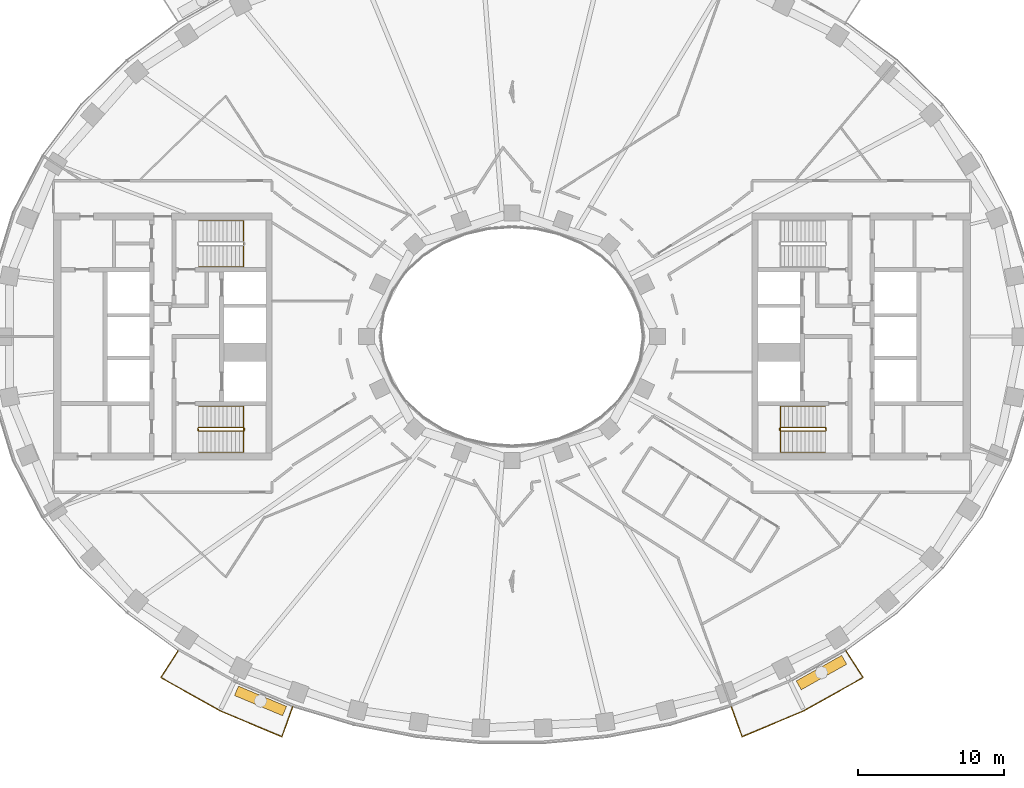
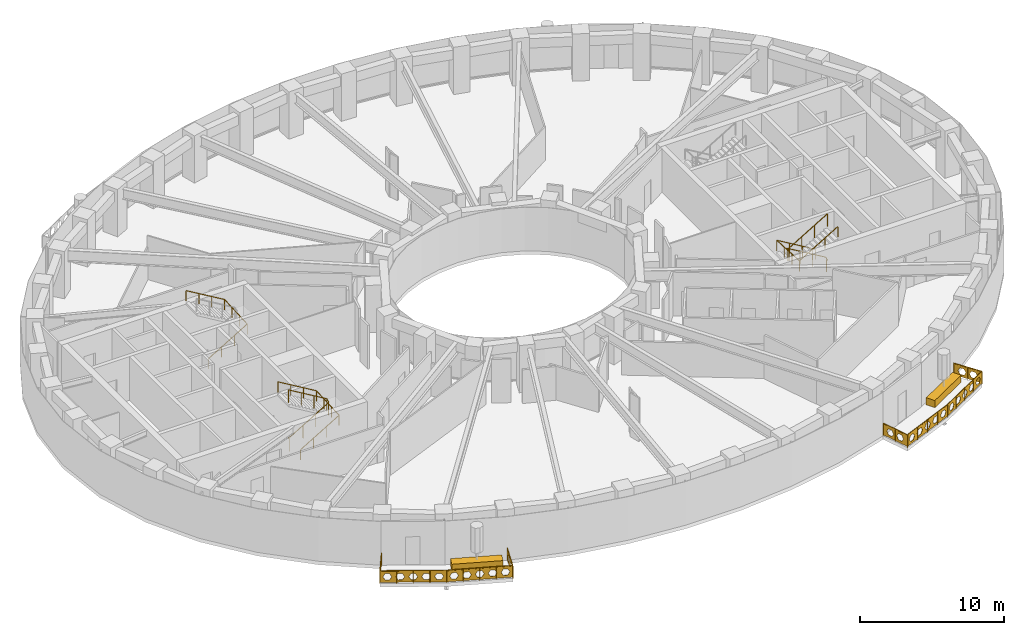
# One storey, part 13 of 15: 7 railings, 2 coverings.
"""IFC4 building model written with IfcOpenShell, lengths in metres."""

from ifc_helpers import new_model, si_unit, direction, frame, origin, origin_2d, place, context, subcontext, project, spatial, polyline, rectangle, outline, extrude, material, type_object, element, save


model = new_model("IFC4")

# Units and contexts
model_context = context("Model", 3, precision=1e-05, world=origin(), true_north=direction((0.0, 1.0)))
body_context = subcontext(model_context, "Body", "Model", "MODEL_VIEW")
ifc_project = project(units=[si_unit("LENGTHUNIT", "METRE"), si_unit("AREAUNIT", "SQUARE_METRE"), si_unit("VOLUMEUNIT", "CUBIC_METRE"), si_unit("PLANEANGLEUNIT", "RADIAN"), si_unit("MASSUNIT", "GRAM", prefix="KILO")], contexts=[model_context])

# Site, building, storey
site_placement = place(None, origin())
site = spatial("IfcSite", under=ifc_project, at=site_placement, CompositionType="ELEMENT")
building_placement = place(site_placement, origin())
building = spatial("IfcBuilding", under=site, at=building_placement, Name="Noorbagh Ring Tower", CompositionType="ELEMENT")
storey_placement = place(building_placement, frame((0.0, 0.0, 158.0)))
storey = spatial("IfcBuildingStorey", under=building, at=storey_placement, Name="L36", CompositionType="ELEMENT", Elevation=158.0)

# Railings
ifc_material_1 = material(Name="Stainless steel", Category="steel")
railing_type_1 = type_object("IfcRailingType", Name="CORE-STAIR-GUARD", PredefinedType="GUARDRAIL", material=ifc_material_1)
railing_1_placement = place(storey_placement, frame((-21.580078125, -6.449951171875, 0.0)))
element("IfcRailing", 1, at=railing_1_placement, inside=storey, type_object=railing_type_1, Name="L36 ST2 stair guard", PredefinedType="GUARDRAIL", context=body_context, shape_type="SweptSolid", body=[
    extrude(rectangle(XDim=0.048095703125, YDim=0.048095703125, at=origin_2d()), frame((0.0, 0.0, 1.076171875), z_axis=(0.0, 1.0, 0.0), x_axis=(-1.0, 0.0, 0.0)), (0.0, 0.0, 1.0), 0.14990234375),
    extrude(rectangle(XDim=0.048095703125, YDim=0.048095703125, at=origin_2d()), frame((0.0, 0.14990234375, 1.076171875), z_axis=(0.188775798145, -0.754182335027, 0.628945707965), x_axis=(0.970072785993, 0.242814311512, 0.0)), (0.0, 0.0, 1.0), 0.26513671875),
    extrude(rectangle(XDim=0.048095703125, YDim=0.048095703125, at=origin_2d()), frame((0.050048828125, -0.050048828125, 1.24267578125), z_axis=(0.859308565015, 0.0, 0.511457515432), x_axis=(0.0, 1.0, 0.0)), (0.0, 0.0, 1.0), 3.58447265625),
    extrude(rectangle(XDim=0.048095703125, YDim=0.048095703125, at=origin_2d()), frame((3.130126953125, -0.050048828125, 3.076171875), z_axis=(0.707106781187, 0.707106781187, 0.0), x_axis=(-0.707106781187, 0.707106781187, 0.0)), (0.0, 0.0, 1.0), 0.07080078125),
    extrude(rectangle(XDim=0.048095703125, YDim=0.048095703125, at=origin_2d()), frame((3.18017578125, 0.0, 3.076171875), z_axis=(0.0, 1.0, 0.0), x_axis=(-1.0, 0.0, 0.0)), (0.0, 0.0, 1.0), 0.14990234375),
    extrude(rectangle(XDim=0.048095703125, YDim=0.048095703125, at=origin_2d()), frame((3.18017578125, 0.14990234375, 3.076171875), z_axis=(-0.27628659633, 0.27628659633, 0.920506074601), x_axis=(-0.707106781187, -0.707106781187, 0.0)), (0.0, 0.0, 1.0), 0.18115234375),
    extrude(rectangle(XDim=0.048095703125, YDim=0.048095703125, at=origin_2d()), frame((3.130126953125, 0.199951171875, 3.24267578125), z_axis=(-0.859308565015, 0.0, 0.511457515432), x_axis=(0.0, -1.0, 0.0)), (0.0, 0.0, 1.0), 3.58447265625),
    extrude(rectangle(XDim=0.0419921875, YDim=0.0419921875, at=origin_2d()), origin(), (0.0, 0.0, 1.0), 1.052001953125),
    extrude(rectangle(XDim=0.0419921875, YDim=0.0419921875, at=origin_2d()), frame((1.07666015625, -0.050048828125, 0.77783203125)), (0.0, 0.0, 1.0), 1.052001953125),
    extrude(rectangle(XDim=0.0419921875, YDim=0.0419921875, at=origin_2d()), frame((2.103515625, -0.050048828125, 1.388916015625)), (0.0, 0.0, 1.0), 1.052001953125),
    extrude(rectangle(XDim=0.0419921875, YDim=0.0419921875, at=origin_2d()), frame((3.130126953125, -0.050048828125, 2.0)), (0.0, 0.0, 1.0), 1.052001953125),
    extrude(rectangle(XDim=0.0419921875, YDim=0.0419921875, at=origin_2d()), frame((3.130126953125, 0.199951171875, 2.166748046875)), (0.0, 0.0, 1.0), 1.052001953125),
    extrude(rectangle(XDim=0.0419921875, YDim=0.0419921875, at=origin_2d()), frame((2.103515625, 0.199951171875, 2.77783203125)), (0.0, 0.0, 1.0), 1.052001953125),
    extrude(rectangle(XDim=0.0419921875, YDim=0.0419921875, at=origin_2d()), frame((1.07666015625, 0.199951171875, 3.388916015625)), (0.0, 0.0, 1.0), 1.052001953125),
    extrude(rectangle(XDim=0.0419921875, YDim=0.0419921875, at=origin_2d()), frame((0.050048828125, 0.199951171875, 4.0)), (0.0, 0.0, 1.0), 1.052001953125),
])
railing_2_placement = place(storey_placement, frame((21.580078125, -6.300048828125, 0.0)))
element("IfcRailing", 2, at=railing_2_placement, inside=storey, type_object=railing_type_1, Name="L36 ST4 stair guard", PredefinedType="GUARDRAIL", context=body_context, shape_type="SweptSolid", body=[
    extrude(rectangle(XDim=0.048095703125, YDim=0.048095703125, at=origin_2d()), frame((0.0, 0.0, 1.076171875), z_axis=(0.0, -1.0, 0.0), x_axis=(1.0, 0.0, 0.0)), (0.0, 0.0, 1.0), 0.14990234375),
    extrude(rectangle(XDim=0.048095703125, YDim=0.048095703125, at=origin_2d()), frame((0.0, -0.14990234375, 1.076171875), z_axis=(-0.188775798145, 0.754182335027, 0.628945707965), x_axis=(-0.970072785993, -0.242814311512, 0.0)), (0.0, 0.0, 1.0), 0.26513671875),
    extrude(rectangle(XDim=0.048095703125, YDim=0.048095703125, at=origin_2d()), frame((-0.050048828125, 0.050048828125, 1.24267578125), z_axis=(-0.859308565015, 0.0, 0.511457515432), x_axis=(0.0, -1.0, 0.0)), (0.0, 0.0, 1.0), 3.58447265625),
    extrude(rectangle(XDim=0.048095703125, YDim=0.048095703125, at=origin_2d()), frame((-3.130126953125, 0.050048828125, 3.076171875), z_axis=(-0.707106781187, -0.707106781187, 0.0), x_axis=(0.707106781187, -0.707106781187, 0.0)), (0.0, 0.0, 1.0), 0.07080078125),
    extrude(rectangle(XDim=0.048095703125, YDim=0.048095703125, at=origin_2d()), frame((-3.18017578125, 0.0, 3.076171875), z_axis=(0.0, -1.0, 0.0), x_axis=(1.0, 0.0, 0.0)), (0.0, 0.0, 1.0), 0.14990234375),
    extrude(rectangle(XDim=0.048095703125, YDim=0.048095703125, at=origin_2d()), frame((-3.18017578125, -0.14990234375, 3.076171875), z_axis=(0.27628659633, -0.27628659633, 0.920506074601), x_axis=(0.707106781187, 0.707106781187, 0.0)), (0.0, 0.0, 1.0), 0.18115234375),
    extrude(rectangle(XDim=0.048095703125, YDim=0.048095703125, at=origin_2d()), frame((-3.130126953125, -0.199951171875, 3.24267578125), z_axis=(0.859308565015, 0.0, 0.511457515432), x_axis=(0.0, 1.0, 0.0)), (0.0, 0.0, 1.0), 3.58447265625),
    extrude(rectangle(XDim=0.0419921875, YDim=0.0419921875, at=origin_2d()), origin(), (0.0, 0.0, 1.0), 1.052001953125),
    extrude(rectangle(XDim=0.0419921875, YDim=0.0419921875, at=origin_2d()), frame((-1.07666015625, 0.050048828125, 0.77783203125)), (0.0, 0.0, 1.0), 1.052001953125),
    extrude(rectangle(XDim=0.0419921875, YDim=0.0419921875, at=origin_2d()), frame((-2.103515625, 0.050048828125, 1.388916015625)), (0.0, 0.0, 1.0), 1.052001953125),
    extrude(rectangle(XDim=0.0419921875, YDim=0.0419921875, at=origin_2d()), frame((-3.130126953125, 0.050048828125, 2.0)), (0.0, 0.0, 1.0), 1.052001953125),
    extrude(rectangle(XDim=0.0419921875, YDim=0.0419921875, at=origin_2d()), frame((-3.130126953125, -0.199951171875, 2.166748046875)), (0.0, 0.0, 1.0), 1.052001953125),
    extrude(rectangle(XDim=0.0419921875, YDim=0.0419921875, at=origin_2d()), frame((-2.103515625, -0.199951171875, 2.77783203125)), (0.0, 0.0, 1.0), 1.052001953125),
    extrude(rectangle(XDim=0.0419921875, YDim=0.0419921875, at=origin_2d()), frame((-1.07666015625, -0.199951171875, 3.388916015625)), (0.0, 0.0, 1.0), 1.052001953125),
    extrude(rectangle(XDim=0.0419921875, YDim=0.0419921875, at=origin_2d()), frame((-0.050048828125, -0.199951171875, 4.0)), (0.0, 0.0, 1.0), 1.052001953125),
])
ifc_material_2 = material(Name="Stainless steel", Category="steel")
railing_type_2 = type_object("IfcRailingType", Name="CORE-STAIR-HANDRAIL", PredefinedType="HANDRAIL", material=ifc_material_2)
railing_3_placement = place(storey_placement, frame((-21.530029296875, 4.800048828125, 0.166748046875)))
element("IfcRailing", 3, at=railing_3_placement, inside=storey, type_object=railing_type_2, Name="L36 ST1 stair handrail", PredefinedType="HANDRAIL", context=body_context, shape_type="SweptSolid", body=[
    extrude(rectangle(XDim=0.048095703125, YDim=0.048095703125, at=origin_2d()), frame((0.0, 0.0, 0.8759765625), z_axis=(0.859308565015, 0.0, 0.511457515432), x_axis=(0.0, 1.0, 0.0)), (0.0, 0.0, 1.0), 3.58447265625),
    extrude(rectangle(XDim=0.048095703125, YDim=0.048095703125, at=origin_2d()), frame((3.080078125, 0.0, 2.708984375), z_axis=(0.0, 0.998601747152, 0.052863509014), x_axis=(-1.0, 0.0, 0.0)), (0.0, 0.0, 1.0), 3.154296875),
    extrude(rectangle(XDim=0.048095703125, YDim=0.048095703125, at=origin_2d()), frame((3.080078125, 3.14990234375, 2.8759765625), z_axis=(-0.859308565015, 0.0, 0.511457515432), x_axis=(0.0, -1.0, 0.0)), (0.0, 0.0, 1.0), 3.58447265625),
    extrude(rectangle(XDim=0.0419921875, YDim=0.0419921875, at=origin_2d()), origin(), (0.0, 0.0, 1.0), 0.851806640625),
    extrude(rectangle(XDim=0.0419921875, YDim=0.0419921875, at=origin_2d()), frame((1.026611328125, 0.0, 0.611083984375)), (0.0, 0.0, 1.0), 0.851806640625),
    extrude(rectangle(XDim=0.0419921875, YDim=0.0419921875, at=origin_2d()), frame((2.053466796875, 0.0, 1.22216796875)), (0.0, 0.0, 1.0), 0.851806640625),
    extrude(rectangle(XDim=0.0419921875, YDim=0.0419921875, at=origin_2d()), frame((3.080078125, 0.0, 1.833251953125)), (0.0, 0.0, 1.0), 0.851806640625),
    extrude(rectangle(XDim=0.0419921875, YDim=0.0419921875, at=origin_2d()), frame((3.080078125, 1.050048828125, 1.888916015625)), (0.0, 0.0, 1.0), 0.851806640625),
    extrude(rectangle(XDim=0.0419921875, YDim=0.0419921875, at=origin_2d()), frame((3.080078125, 2.099853515625, 1.9443359375)), (0.0, 0.0, 1.0), 0.851806640625),
    extrude(rectangle(XDim=0.0419921875, YDim=0.0419921875, at=origin_2d()), frame((3.080078125, 3.14990234375, 2.0)), (0.0, 0.0, 1.0), 0.851806640625),
    extrude(rectangle(XDim=0.0419921875, YDim=0.0419921875, at=origin_2d()), frame((2.053466796875, 3.14990234375, 2.611083984375)), (0.0, 0.0, 1.0), 0.851806640625),
    extrude(rectangle(XDim=0.0419921875, YDim=0.0419921875, at=origin_2d()), frame((1.026611328125, 3.14990234375, 3.22216796875)), (0.0, 0.0, 1.0), 0.851806640625),
    extrude(rectangle(XDim=0.0419921875, YDim=0.0419921875, at=origin_2d()), frame((0.0, 3.14990234375, 3.833251953125)), (0.0, 0.0, 1.0), 0.851806640625),
])
railing_4_placement = place(storey_placement, frame((-21.530029296875, -7.949951171875, 0.166748046875)))
element("IfcRailing", 4, at=railing_4_placement, inside=storey, type_object=railing_type_2, Name="L36 ST2 stair handrail", PredefinedType="HANDRAIL", context=body_context, shape_type="SweptSolid", body=[
    extrude(rectangle(XDim=0.048095703125, YDim=0.048095703125, at=origin_2d()), frame((0.0, 0.0, 0.8759765625), z_axis=(0.859308565015, 0.0, 0.511457515432), x_axis=(0.0, 1.0, 0.0)), (0.0, 0.0, 1.0), 3.58447265625),
    extrude(rectangle(XDim=0.048095703125, YDim=0.048095703125, at=origin_2d()), frame((3.080078125, 0.0, 2.708984375), z_axis=(0.0, 0.998601747152, 0.052863509014), x_axis=(-1.0, 0.0, 0.0)), (0.0, 0.0, 1.0), 3.154296875),
    extrude(rectangle(XDim=0.048095703125, YDim=0.048095703125, at=origin_2d()), frame((3.080078125, 3.14990234375, 2.8759765625), z_axis=(-0.859308565015, 0.0, 0.511457515432), x_axis=(0.0, -1.0, 0.0)), (0.0, 0.0, 1.0), 3.58447265625),
    extrude(rectangle(XDim=0.0419921875, YDim=0.0419921875, at=origin_2d()), origin(), (0.0, 0.0, 1.0), 0.851806640625),
    extrude(rectangle(XDim=0.0419921875, YDim=0.0419921875, at=origin_2d()), frame((1.026611328125, 0.0, 0.611083984375)), (0.0, 0.0, 1.0), 0.851806640625),
    extrude(rectangle(XDim=0.0419921875, YDim=0.0419921875, at=origin_2d()), frame((2.053466796875, 0.0, 1.22216796875)), (0.0, 0.0, 1.0), 0.851806640625),
    extrude(rectangle(XDim=0.0419921875, YDim=0.0419921875, at=origin_2d()), frame((3.080078125, 0.0, 1.833251953125)), (0.0, 0.0, 1.0), 0.851806640625),
    extrude(rectangle(XDim=0.0419921875, YDim=0.0419921875, at=origin_2d()), frame((3.080078125, 1.050048828125, 1.888916015625)), (0.0, 0.0, 1.0), 0.851806640625),
    extrude(rectangle(XDim=0.0419921875, YDim=0.0419921875, at=origin_2d()), frame((3.080078125, 2.099853515625, 1.9443359375)), (0.0, 0.0, 1.0), 0.851806640625),
    extrude(rectangle(XDim=0.0419921875, YDim=0.0419921875, at=origin_2d()), frame((3.080078125, 3.14990234375, 2.0)), (0.0, 0.0, 1.0), 0.851806640625),
    extrude(rectangle(XDim=0.0419921875, YDim=0.0419921875, at=origin_2d()), frame((2.053466796875, 3.14990234375, 2.611083984375)), (0.0, 0.0, 1.0), 0.851806640625),
    extrude(rectangle(XDim=0.0419921875, YDim=0.0419921875, at=origin_2d()), frame((1.026611328125, 3.14990234375, 3.22216796875)), (0.0, 0.0, 1.0), 0.851806640625),
    extrude(rectangle(XDim=0.0419921875, YDim=0.0419921875, at=origin_2d()), frame((0.0, 3.14990234375, 3.833251953125)), (0.0, 0.0, 1.0), 0.851806640625),
])
railing_5_placement = place(storey_placement, frame((21.530029296875, -4.800048828125, 0.166748046875)))
element("IfcRailing", 5, at=railing_5_placement, inside=storey, type_object=railing_type_2, Name="L36 ST4 stair handrail", PredefinedType="HANDRAIL", context=body_context, shape_type="SweptSolid", body=[
    extrude(rectangle(XDim=0.048095703125, YDim=0.048095703125, at=origin_2d()), frame((0.0, 0.0, 0.8759765625), z_axis=(-0.859308565015, 0.0, 0.511457515432), x_axis=(0.0, -1.0, 0.0)), (0.0, 0.0, 1.0), 3.58447265625),
    extrude(rectangle(XDim=0.048095703125, YDim=0.048095703125, at=origin_2d()), frame((-3.080078125, 0.0, 2.708984375), z_axis=(0.0, -0.998601747152, 0.052863509014), x_axis=(1.0, 0.0, 0.0)), (0.0, 0.0, 1.0), 3.154296875),
    extrude(rectangle(XDim=0.048095703125, YDim=0.048095703125, at=origin_2d()), frame((-3.080078125, -3.14990234375, 2.8759765625), z_axis=(0.859308565015, 0.0, 0.511457515432), x_axis=(0.0, 1.0, 0.0)), (0.0, 0.0, 1.0), 3.58447265625),
    extrude(rectangle(XDim=0.0419921875, YDim=0.0419921875, at=origin_2d()), origin(), (0.0, 0.0, 1.0), 0.851806640625),
    extrude(rectangle(XDim=0.0419921875, YDim=0.0419921875, at=origin_2d()), frame((-1.026611328125, 0.0, 0.611083984375)), (0.0, 0.0, 1.0), 0.851806640625),
    extrude(rectangle(XDim=0.0419921875, YDim=0.0419921875, at=origin_2d()), frame((-2.053466796875, 0.0, 1.22216796875)), (0.0, 0.0, 1.0), 0.851806640625),
    extrude(rectangle(XDim=0.0419921875, YDim=0.0419921875, at=origin_2d()), frame((-3.080078125, 0.0, 1.833251953125)), (0.0, 0.0, 1.0), 0.851806640625),
    extrude(rectangle(XDim=0.0419921875, YDim=0.0419921875, at=origin_2d()), frame((-3.080078125, -1.050048828125, 1.888916015625)), (0.0, 0.0, 1.0), 0.851806640625),
    extrude(rectangle(XDim=0.0419921875, YDim=0.0419921875, at=origin_2d()), frame((-3.080078125, -2.099853515625, 1.9443359375)), (0.0, 0.0, 1.0), 0.851806640625),
    extrude(rectangle(XDim=0.0419921875, YDim=0.0419921875, at=origin_2d()), frame((-3.080078125, -3.14990234375, 2.0)), (0.0, 0.0, 1.0), 0.851806640625),
    extrude(rectangle(XDim=0.0419921875, YDim=0.0419921875, at=origin_2d()), frame((-2.053466796875, -3.14990234375, 2.611083984375)), (0.0, 0.0, 1.0), 0.851806640625),
    extrude(rectangle(XDim=0.0419921875, YDim=0.0419921875, at=origin_2d()), frame((-1.026611328125, -3.14990234375, 3.22216796875)), (0.0, 0.0, 1.0), 0.851806640625),
    extrude(rectangle(XDim=0.0419921875, YDim=0.0419921875, at=origin_2d()), frame((0.0, -3.14990234375, 3.833251953125)), (0.0, 0.0, 1.0), 0.851806640625),
])
ifc_material_3 = material(Name="Steel S275 black powder-coated", Category="steel")
railing_type_3 = type_object("IfcRailingType", Name="ENV-GUARD", PredefinedType="GUARDRAIL", material=ifc_material_3)
railing_6_placement = place(storey_placement, frame((-22.9326171875, -21.583740234375, 0.0)))
element("IfcRailing", 6, at=railing_6_placement, inside=storey, type_object=railing_type_3, Name="Balcony guard BS02", PredefinedType="GUARDRAIL", context=body_context, shape_type="SweptSolid", body=[
    extrude(rectangle(XDim=0.048095703125, YDim=0.048095703125, at=origin_2d()), frame((0.0, 0.0, 1.076171875), z_axis=(-0.542268136821, -0.840205491406, 0.0), x_axis=(0.840205491406, -0.542268136821, 0.0)), (0.0, 0.0, 1.0), 2.204345703125),
    extrude(rectangle(XDim=0.048095703125, YDim=0.048095703125, at=origin_2d()), frame((-1.1953125, -1.85205078125, 1.076171875), z_axis=(0.872052247658, -0.489412788303, 0.0), x_axis=(0.489412788303, 0.872052247658, 0.0)), (0.0, 0.0, 1.0), 4.646240234375),
    extrude(rectangle(XDim=0.048095703125, YDim=0.048095703125, at=origin_2d()), frame((2.8564453125, -4.1259765625, 1.076171875), z_axis=(0.921809087722, -0.387644174203, 0.0), x_axis=(0.387644174203, 0.921809087722, 0.0)), (0.0, 0.0, 1.0), 4.627197265625),
    extrude(rectangle(XDim=0.048095703125, YDim=0.048095703125, at=origin_2d()), frame((7.121826171875, -5.919677734375, 1.076171875), z_axis=(0.338350546839, 0.941020141896, 0.0), x_axis=(-0.941020141896, 0.338350546839, 0.0)), (0.0, 0.0, 1.0), 2.202880859375),
    extrude(rectangle(XDim=0.0419921875, YDim=0.0419921875, at=origin_2d()), origin(), (0.0, 0.0, 1.0), 1.052001953125),
    extrude(rectangle(XDim=0.0419921875, YDim=0.0419921875, at=origin_2d()), frame((-0.59765625, -0.926025390625, 0.0)), (0.0, 0.0, 1.0), 1.052001953125),
    extrude(rectangle(XDim=0.0419921875, YDim=0.0419921875, at=origin_2d()), frame((-1.1953125, -1.85205078125, 0.0)), (0.0, 0.0, 1.0), 1.052001953125),
    extrude(rectangle(XDim=0.0419921875, YDim=0.0419921875, at=origin_2d()), frame((-0.182373046875, -2.42041015625, 0.0)), (0.0, 0.0, 1.0), 1.052001953125),
    extrude(rectangle(XDim=0.0419921875, YDim=0.0419921875, at=origin_2d()), frame((0.83056640625, -2.989013671875, 0.0)), (0.0, 0.0, 1.0), 1.052001953125),
    extrude(rectangle(XDim=0.0419921875, YDim=0.0419921875, at=origin_2d()), frame((1.843505859375, -3.5576171875, 0.0)), (0.0, 0.0, 1.0), 1.052001953125),
    extrude(rectangle(XDim=0.0419921875, YDim=0.0419921875, at=origin_2d()), frame((2.8564453125, -4.1259765625, 0.0)), (0.0, 0.0, 1.0), 1.052001953125),
    extrude(rectangle(XDim=0.0419921875, YDim=0.0419921875, at=origin_2d()), frame((3.9228515625, -4.574462890625, 0.0)), (0.0, 0.0, 1.0), 1.052001953125),
    extrude(rectangle(XDim=0.0419921875, YDim=0.0419921875, at=origin_2d()), frame((4.9892578125, -5.02294921875, 0.0)), (0.0, 0.0, 1.0), 1.052001953125),
    extrude(rectangle(XDim=0.0419921875, YDim=0.0419921875, at=origin_2d()), frame((6.055419921875, -5.47119140625, 0.0)), (0.0, 0.0, 1.0), 1.052001953125),
    extrude(rectangle(XDim=0.0419921875, YDim=0.0419921875, at=origin_2d()), frame((7.121826171875, -5.919677734375, 0.0)), (0.0, 0.0, 1.0), 1.052001953125),
    extrude(rectangle(XDim=0.0419921875, YDim=0.0419921875, at=origin_2d()), frame((7.49462890625, -4.88330078125, 0.0)), (0.0, 0.0, 1.0), 1.052001953125),
    extrude(rectangle(XDim=0.0419921875, YDim=0.0419921875, at=origin_2d()), frame((7.8671875, -3.8466796875, 0.0)), (0.0, 0.0, 1.0), 1.052001953125),
    extrude(outline(polyline([(0.0, 0.10009765625), (2.204345703125, 0.10009765625), (2.204345703125, 1.031982421875), (0.0, 1.031982421875), (0.0, 0.10009765625)]), holes=[polyline([(0.962158203125, 0.56591796875), (0.80712890625, 0.83447265625), (0.4970703125, 0.83447265625), (0.342041015625, 0.56591796875), (0.4970703125, 0.297607421875), (0.80712890625, 0.297607421875), (0.962158203125, 0.56591796875)]), polyline([(1.862060546875, 0.56591796875), (1.70703125, 0.83447265625), (1.397216796875, 0.83447265625), (1.2421875, 0.56591796875), (1.397216796875, 0.297607421875), (1.70703125, 0.297607421875), (1.862060546875, 0.56591796875)])]), frame((0.00830078125, -0.00537109375, 0.0), z_axis=(-0.840205491406, 0.542268136821, 0.0), x_axis=(-0.542268136821, -0.840205491406, 0.0)), (0.0, 0.0, 1.0), 0.02001953125),
    extrude(outline(polyline([(0.0, 0.10009765625), (4.646240234375, 0.10009765625), (4.646240234375, 1.031982421875), (0.0, 1.031982421875), (0.0, 0.10009765625)]), holes=[polyline([(0.8330078125, 0.56591796875), (0.67822265625, 0.83447265625), (0.3681640625, 0.83447265625), (0.213134765625, 0.56591796875), (0.3681640625, 0.297607421875), (0.67822265625, 0.297607421875), (0.8330078125, 0.56591796875)]), polyline([(1.733154296875, 0.56591796875), (1.578125, 0.83447265625), (1.26806640625, 0.83447265625), (1.113037109375, 0.56591796875), (1.26806640625, 0.297607421875), (1.578125, 0.297607421875), (1.733154296875, 0.56591796875)]), polyline([(2.633056640625, 0.56591796875), (2.47802734375, 0.83447265625), (2.168212890625, 0.83447265625), (2.01318359375, 0.56591796875), (2.168212890625, 0.297607421875), (2.47802734375, 0.297607421875), (2.633056640625, 0.56591796875)]), polyline([(3.533203125, 0.56591796875), (3.378173828125, 0.83447265625), (3.068115234375, 0.83447265625), (2.9130859375, 0.56591796875), (3.068115234375, 0.297607421875), (3.378173828125, 0.297607421875), (3.533203125, 0.56591796875)]), polyline([(4.43310546875, 0.56591796875), (4.278076171875, 0.83447265625), (3.968017578125, 0.83447265625), (3.813232421875, 0.56591796875), (3.968017578125, 0.297607421875), (4.278076171875, 0.297607421875), (4.43310546875, 0.56591796875)])]), frame((-1.1904296875, -1.84326171875, 0.0), z_axis=(-0.489412788303, -0.872052247658, 0.0), x_axis=(0.872052247658, -0.489412788303, 0.0)), (0.0, 0.0, 1.0), 0.02001953125),
    extrude(outline(polyline([(0.0, 0.10009765625), (4.627197265625, 0.10009765625), (4.627197265625, 1.031982421875), (0.0, 1.031982421875), (0.0, 0.10009765625)]), holes=[polyline([(0.823486328125, 0.56591796875), (0.668701171875, 0.83447265625), (0.358642578125, 0.83447265625), (0.20361328125, 0.56591796875), (0.358642578125, 0.297607421875), (0.668701171875, 0.297607421875), (0.823486328125, 0.56591796875)]), polyline([(1.7236328125, 0.56591796875), (1.568603515625, 0.83447265625), (1.258544921875, 0.83447265625), (1.103515625, 0.56591796875), (1.258544921875, 0.297607421875), (1.568603515625, 0.297607421875), (1.7236328125, 0.56591796875)]), polyline([(2.62353515625, 0.56591796875), (2.468505859375, 0.83447265625), (2.15869140625, 0.83447265625), (2.003662109375, 0.56591796875), (2.15869140625, 0.297607421875), (2.468505859375, 0.297607421875), (2.62353515625, 0.56591796875)]), polyline([(3.523681640625, 0.56591796875), (3.36865234375, 0.83447265625), (3.05859375, 0.83447265625), (2.903564453125, 0.56591796875), (3.05859375, 0.297607421875), (3.36865234375, 0.297607421875), (3.523681640625, 0.56591796875)]), polyline([(4.423583984375, 0.56591796875), (4.2685546875, 0.83447265625), (3.95849609375, 0.83447265625), (3.8037109375, 0.56591796875), (3.95849609375, 0.297607421875), (4.2685546875, 0.297607421875), (4.423583984375, 0.56591796875)])]), frame((2.8603515625, -4.11669921875, 0.0), z_axis=(-0.387644174203, -0.921809087722, 0.0), x_axis=(0.921809087722, -0.387644174203, 0.0)), (0.0, 0.0, 1.0), 0.02001953125),
    extrude(outline(polyline([(0.0, 0.10009765625), (2.202880859375, 0.10009765625), (2.202880859375, 1.031982421875), (0.0, 1.031982421875), (0.0, 0.10009765625)]), holes=[polyline([(0.96142578125, 0.56591796875), (0.806396484375, 0.83447265625), (0.49658203125, 0.83447265625), (0.341552734375, 0.56591796875), (0.49658203125, 0.297607421875), (0.806396484375, 0.297607421875), (0.96142578125, 0.56591796875)]), polyline([(1.861572265625, 0.56591796875), (1.70654296875, 0.83447265625), (1.396484375, 0.83447265625), (1.241455078125, 0.56591796875), (1.396484375, 0.297607421875), (1.70654296875, 0.297607421875), (1.861572265625, 0.56591796875)])]), frame((7.1123046875, -5.916259765625, 0.0), z_axis=(0.941020141896, -0.338350546839, 0.0), x_axis=(0.338350546839, 0.941020141896, 0.0)), (0.0, 0.0, 1.0), 0.02001953125),
])
railing_7_placement = place(storey_placement, frame((15.0654296875, -25.430419921875, 0.0)))
element("IfcRailing", 7, at=railing_7_placement, inside=storey, type_object=railing_type_3, Name="Balcony guard BS05", PredefinedType="GUARDRAIL", context=body_context, shape_type="SweptSolid", body=[
    extrude(rectangle(XDim=0.048095703125, YDim=0.048095703125, at=origin_2d()), frame((0.0, 0.0, 1.076171875), z_axis=(0.338350546839, -0.941020141896, 0.0), x_axis=(0.941020141896, 0.338350546839, 0.0)), (0.0, 0.0, 1.0), 2.202880859375),
    extrude(rectangle(XDim=0.048095703125, YDim=0.048095703125, at=origin_2d()), frame((0.745361328125, -2.072998046875, 1.076171875), z_axis=(0.921809087722, 0.387644174203, 0.0), x_axis=(-0.387644174203, 0.921809087722, 0.0)), (0.0, 0.0, 1.0), 4.627197265625),
    extrude(rectangle(XDim=0.048095703125, YDim=0.048095703125, at=origin_2d()), frame((5.0107421875, -0.279296875, 1.076171875), z_axis=(0.872052247658, 0.489412788303, 0.0), x_axis=(-0.489412788303, 0.872052247658, 0.0)), (0.0, 0.0, 1.0), 4.646240234375),
    extrude(rectangle(XDim=0.048095703125, YDim=0.048095703125, at=origin_2d()), frame((9.0625, 1.99462890625, 1.076171875), z_axis=(-0.542268136821, 0.840205491406, 0.0), x_axis=(-0.840205491406, -0.542268136821, 0.0)), (0.0, 0.0, 1.0), 2.204345703125),
    extrude(rectangle(XDim=0.0419921875, YDim=0.0419921875, at=origin_2d()), origin(), (0.0, 0.0, 1.0), 1.052001953125),
    extrude(rectangle(XDim=0.0419921875, YDim=0.0419921875, at=origin_2d()), frame((0.37255859375, -1.03662109375, 0.0)), (0.0, 0.0, 1.0), 1.052001953125),
    extrude(rectangle(XDim=0.0419921875, YDim=0.0419921875, at=origin_2d()), frame((0.745361328125, -2.072998046875, 0.0)), (0.0, 0.0, 1.0), 1.052001953125),
    extrude(rectangle(XDim=0.0419921875, YDim=0.0419921875, at=origin_2d()), frame((1.811767578125, -1.62451171875, 0.0)), (0.0, 0.0, 1.0), 1.052001953125),
    extrude(rectangle(XDim=0.0419921875, YDim=0.0419921875, at=origin_2d()), frame((2.8779296875, -1.17626953125, 0.0)), (0.0, 0.0, 1.0), 1.052001953125),
    extrude(rectangle(XDim=0.0419921875, YDim=0.0419921875, at=origin_2d()), frame((3.9443359375, -0.727783203125, 0.0)), (0.0, 0.0, 1.0), 1.052001953125),
    extrude(rectangle(XDim=0.0419921875, YDim=0.0419921875, at=origin_2d()), frame((5.0107421875, -0.279296875, 0.0)), (0.0, 0.0, 1.0), 1.052001953125),
    extrude(rectangle(XDim=0.0419921875, YDim=0.0419921875, at=origin_2d()), frame((6.023681640625, 0.2890625, 0.0)), (0.0, 0.0, 1.0), 1.052001953125),
    extrude(rectangle(XDim=0.0419921875, YDim=0.0419921875, at=origin_2d()), frame((7.03662109375, 0.857666015625, 0.0)), (0.0, 0.0, 1.0), 1.052001953125),
    extrude(rectangle(XDim=0.0419921875, YDim=0.0419921875, at=origin_2d()), frame((8.049560546875, 1.42626953125, 0.0)), (0.0, 0.0, 1.0), 1.052001953125),
    extrude(rectangle(XDim=0.0419921875, YDim=0.0419921875, at=origin_2d()), frame((9.0625, 1.99462890625, 0.0)), (0.0, 0.0, 1.0), 1.052001953125),
    extrude(rectangle(XDim=0.0419921875, YDim=0.0419921875, at=origin_2d()), frame((8.46484375, 2.920654296875, 0.0)), (0.0, 0.0, 1.0), 1.052001953125),
    extrude(rectangle(XDim=0.0419921875, YDim=0.0419921875, at=origin_2d()), frame((7.8671875, 3.8466796875, 0.0)), (0.0, 0.0, 1.0), 1.052001953125),
    extrude(outline(polyline([(0.0, 0.10009765625), (2.202880859375, 0.10009765625), (2.202880859375, 1.031982421875), (0.0, 1.031982421875), (0.0, 0.10009765625)]), holes=[polyline([(0.96142578125, 0.56591796875), (0.806396484375, 0.83447265625), (0.49658203125, 0.83447265625), (0.341552734375, 0.56591796875), (0.49658203125, 0.297607421875), (0.806396484375, 0.297607421875), (0.96142578125, 0.56591796875)]), polyline([(1.861572265625, 0.56591796875), (1.70654296875, 0.83447265625), (1.396484375, 0.83447265625), (1.241455078125, 0.56591796875), (1.396484375, 0.297607421875), (1.70654296875, 0.297607421875), (1.861572265625, 0.56591796875)])]), frame((0.009521484375, 0.00341796875, 0.0), z_axis=(-0.941020141896, -0.338350546839, 0.0), x_axis=(0.338350546839, -0.941020141896, 0.0)), (0.0, 0.0, 1.0), 0.02001953125),
    extrude(outline(polyline([(0.0, 0.10009765625), (4.627197265625, 0.10009765625), (4.627197265625, 1.031982421875), (0.0, 1.031982421875), (0.0, 0.10009765625)]), holes=[polyline([(0.823486328125, 0.56591796875), (0.668701171875, 0.83447265625), (0.358642578125, 0.83447265625), (0.20361328125, 0.56591796875), (0.358642578125, 0.297607421875), (0.668701171875, 0.297607421875), (0.823486328125, 0.56591796875)]), polyline([(1.7236328125, 0.56591796875), (1.568603515625, 0.83447265625), (1.258544921875, 0.83447265625), (1.103515625, 0.56591796875), (1.258544921875, 0.297607421875), (1.568603515625, 0.297607421875), (1.7236328125, 0.56591796875)]), polyline([(2.62353515625, 0.56591796875), (2.468505859375, 0.83447265625), (2.15869140625, 0.83447265625), (2.003662109375, 0.56591796875), (2.15869140625, 0.297607421875), (2.468505859375, 0.297607421875), (2.62353515625, 0.56591796875)]), polyline([(3.523681640625, 0.56591796875), (3.36865234375, 0.83447265625), (3.05859375, 0.83447265625), (2.903564453125, 0.56591796875), (3.05859375, 0.297607421875), (3.36865234375, 0.297607421875), (3.523681640625, 0.56591796875)]), polyline([(4.423583984375, 0.56591796875), (4.2685546875, 0.83447265625), (3.95849609375, 0.83447265625), (3.8037109375, 0.56591796875), (3.95849609375, 0.297607421875), (4.2685546875, 0.297607421875), (4.423583984375, 0.56591796875)])]), frame((0.741455078125, -2.063720703125, 0.0), z_axis=(0.387644174203, -0.921809087722, 0.0), x_axis=(0.921809087722, 0.387644174203, 0.0)), (0.0, 0.0, 1.0), 0.02001953125),
    extrude(outline(polyline([(0.0, 0.10009765625), (4.646240234375, 0.10009765625), (4.646240234375, 1.031982421875), (0.0, 1.031982421875), (0.0, 0.10009765625)]), holes=[polyline([(0.8330078125, 0.56591796875), (0.67822265625, 0.83447265625), (0.3681640625, 0.83447265625), (0.213134765625, 0.56591796875), (0.3681640625, 0.297607421875), (0.67822265625, 0.297607421875), (0.8330078125, 0.56591796875)]), polyline([(1.733154296875, 0.56591796875), (1.578125, 0.83447265625), (1.26806640625, 0.83447265625), (1.113037109375, 0.56591796875), (1.26806640625, 0.297607421875), (1.578125, 0.297607421875), (1.733154296875, 0.56591796875)]), polyline([(2.633056640625, 0.56591796875), (2.47802734375, 0.83447265625), (2.168212890625, 0.83447265625), (2.01318359375, 0.56591796875), (2.168212890625, 0.297607421875), (2.47802734375, 0.297607421875), (2.633056640625, 0.56591796875)]), polyline([(3.533203125, 0.56591796875), (3.378173828125, 0.83447265625), (3.068115234375, 0.83447265625), (2.9130859375, 0.56591796875), (3.068115234375, 0.297607421875), (3.378173828125, 0.297607421875), (3.533203125, 0.56591796875)]), polyline([(4.43310546875, 0.56591796875), (4.278076171875, 0.83447265625), (3.968017578125, 0.83447265625), (3.813232421875, 0.56591796875), (3.968017578125, 0.297607421875), (4.278076171875, 0.297607421875), (4.43310546875, 0.56591796875)])]), frame((5.005859375, -0.2705078125, 0.0), z_axis=(0.489412788303, -0.872052247658, 0.0), x_axis=(0.872052247658, 0.489412788303, 0.0)), (0.0, 0.0, 1.0), 0.02001953125),
    extrude(outline(polyline([(0.0, 0.10009765625), (2.204345703125, 0.10009765625), (2.204345703125, 1.031982421875), (0.0, 1.031982421875), (0.0, 0.10009765625)]), holes=[polyline([(0.962158203125, 0.56591796875), (0.80712890625, 0.83447265625), (0.4970703125, 0.83447265625), (0.342041015625, 0.56591796875), (0.4970703125, 0.297607421875), (0.80712890625, 0.297607421875), (0.962158203125, 0.56591796875)]), polyline([(1.862060546875, 0.56591796875), (1.70703125, 0.83447265625), (1.397216796875, 0.83447265625), (1.2421875, 0.56591796875), (1.397216796875, 0.297607421875), (1.70703125, 0.297607421875), (1.862060546875, 0.56591796875)])]), frame((9.05419921875, 1.9892578125, 0.0), z_axis=(0.840205491406, 0.542268136821, 0.0), x_axis=(-0.542268136821, 0.840205491406, 0.0)), (0.0, 0.0, 1.0), 0.02001953125),
])

# Coverings
ifc_material_4 = material(Name="Concrete C30/37 planter with soil", Category="concrete")
covering_type = type_object("IfcCoveringType", Name="ENV-PLANTER", PredefinedType="CLADDING", material=ifc_material_4)
covering_1_placement = place(storey_placement, frame((-17.280517578125, -25.041259765625, 0.0), z_axis=(0.0, 0.0, 1.0), x_axis=(0.921811566494, -0.387638279686, 0.0)))
element("IfcCovering", 8, at=covering_1_placement, inside=storey, type_object=covering_type, Name="PLANTER BS02", ObjectType="PLANTER", PredefinedType="CLADDING", context=body_context, shape_type="SweptSolid", body=[
    extrude(rectangle(XDim=3.5859375, YDim=0.699951171875, at=origin_2d()), origin(), (0.0, 0.0, 1.0), 0.60009765625),
])
covering_2_placement = place(storey_placement, frame((21.26513671875, -23.093017578125, 0.0), z_axis=(0.0, 0.0, 1.0), x_axis=(0.872044586249, 0.48942643941, 0.0)))
element("IfcCovering", 9, at=covering_2_placement, inside=storey, type_object=covering_type, Name="PLANTER BS05", ObjectType="PLANTER", PredefinedType="CLADDING", context=body_context, shape_type="SweptSolid", body=[
    extrude(rectangle(XDim=3.58544921875, YDim=0.699951171875, at=origin_2d()), origin(), (0.0, 0.0, 1.0), 0.60009765625),
])

save(model, "model.ifc")
